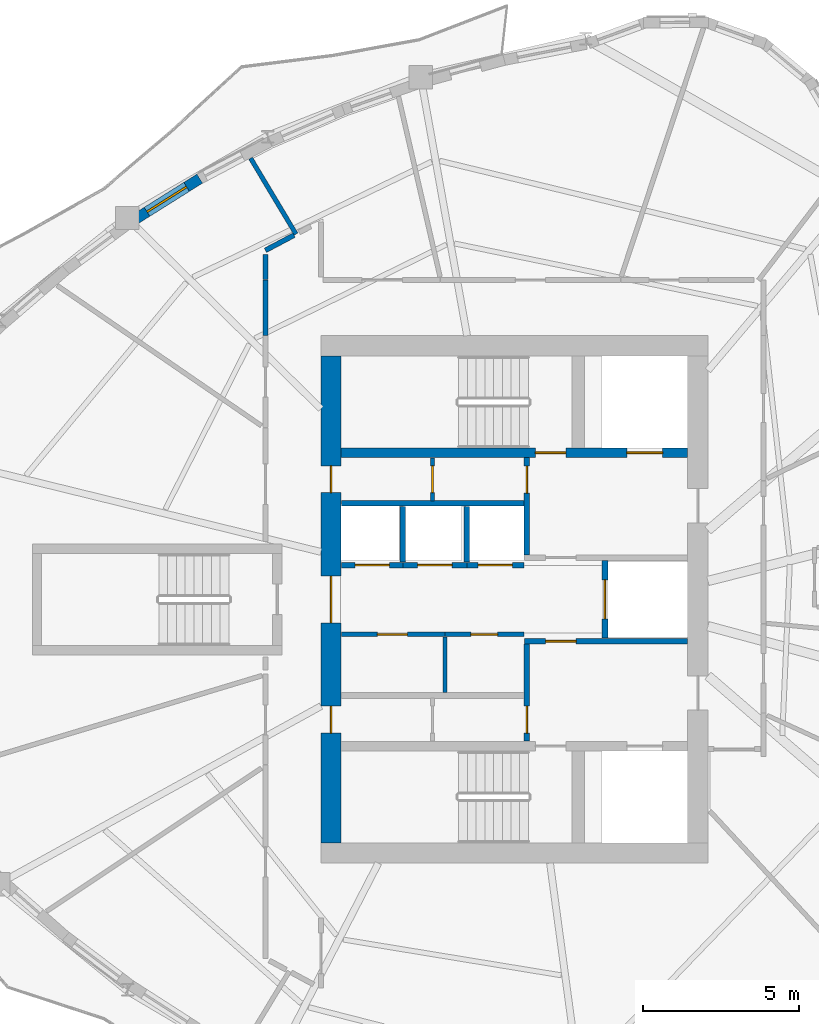
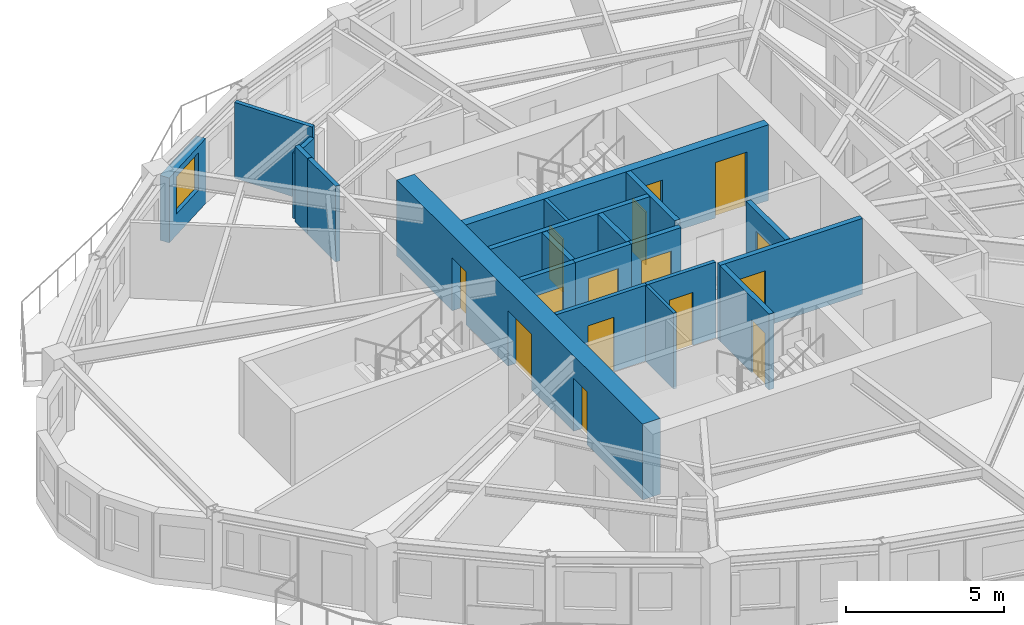
# One storey, part 5 of 12: 21 walls, 15 doors, 1 window, 16 openings.
"""IFC4 building model written with IfcOpenShell, lengths in metres."""

from ifc_helpers import new_model, si_unit, direction, frame, frame_2d, origin, place, context, subcontext, project, spatial, rectangle, extrude, source, transform, mapped, material, layer, layer_set, type_object, element, fill, save


model = new_model("IFC4")

# Units and contexts
model_context = context("Model", 3, precision=1e-05, world=origin(), true_north=direction((0.0, 1.0)))
body_context = subcontext(model_context, "Body", "Model", "MODEL_VIEW")
ifc_project = project(units=[si_unit("LENGTHUNIT", "METRE"), si_unit("AREAUNIT", "SQUARE_METRE"), si_unit("VOLUMEUNIT", "CUBIC_METRE"), si_unit("PLANEANGLEUNIT", "RADIAN"), si_unit("MASSUNIT", "GRAM", prefix="KILO")], contexts=[model_context])

# Site, building, storey
site_placement = place(None, origin())
site = spatial("IfcSite", under=ifc_project, at=site_placement, CompositionType="ELEMENT")
building_placement = place(site_placement, origin())
building = spatial("IfcBuilding", under=site, at=building_placement, Name="Qafzar Sky-Pleat Residences", CompositionType="ELEMENT")
storey_placement = place(building_placement, frame((0.0, 0.0, 149.0)))
storey = spatial("IfcBuildingStorey", under=building, at=storey_placement, Name="L44", CompositionType="ELEMENT", Elevation=149.0)

# Walls
ifc_material_1 = material(Name="Acoustic gypsum plasterboard partition", Category="gypsum")
ifc_layer_1 = layer(ifc_material_1, 0.159912109375)
ifc_layer_set_1 = layer_set([ifc_layer_1], Name="Acoustic gypsum plasterboard partition")
wall_type_1 = type_object("IfcWallType", Name="PART-COR-160", PredefinedType="PARTITIONING", material=ifc_layer_set_1)
wall_1_placement = place(storey_placement, frame((22.3701171875, 34.465087890625, 0.0), z_axis=(0.0, 0.0, 1.0), x_axis=(0.0, 1.0, 0.0)))
element("IfcWall", 1, at=wall_1_placement, inside=storey, type_object=wall_type_1, Name="L44 Partition Wall PART-L44-PW-033", PredefinedType="PARTITIONING", context=body_context, shape_type="SweptSolid", body=[
    extrude(rectangle(XDim=1.764892578125, YDim=0.159912109375, at=frame_2d((0.88232421875, 0.0))), origin(), (0.0, 0.0, 1.0), 2.93505859375),
])
wall_2_placement = place(storey_placement, frame((22.3701171875, 37.18701171875, 0.0), z_axis=(0.0, 0.0, 1.0), x_axis=(0.884244639112, 0.467024001741, 0.0)))
element("IfcWall", 2, at=wall_2_placement, inside=storey, type_object=wall_type_1, Name="L44 Partition Wall PART-L44-PW-037", PredefinedType="PARTITIONING", context=body_context, shape_type="SweptSolid", body=[
    extrude(rectangle(XDim=1.039306640625, YDim=0.159912109375, at=frame_2d((0.51953125, 0.0))), origin(), (0.0, 0.0, 1.0), 2.54296875),
])
wall_3_placement = place(storey_placement, frame((22.3701171875, 36.2451171875, 0.0), z_axis=(0.0, 0.0, 1.0), x_axis=(0.0, 1.0, 0.0)))
element("IfcWall", 3, at=wall_3_placement, inside=storey, type_object=wall_type_1, Name="L44 Partition Wall PART-L44-PW-039", PredefinedType="PARTITIONING", context=body_context, shape_type="SweptSolid", body=[
    extrude(rectangle(XDim=0.80126953125, YDim=0.159912109375, at=frame_2d((0.400634765625, 0.0))), origin(), (0.0, 0.0, 1.0), 2.93505859375),
])

# Wall, opening, door
ifc_material_2 = material(Name="Concrete blockwork partition", Category="masonry")
ifc_layer_2 = layer(ifc_material_2, 0.179931640625)
ifc_layer_set_2 = layer_set([ifc_layer_2], Name="Concrete blockwork partition")
wall_type_2 = type_object("IfcWallType", Name="PART-SHAFT-180", PredefinedType="PARTITIONING", material=ifc_layer_set_2)
wall_4_placement = place(storey_placement, frame((30.75, 21.4599609375, 0.0), z_axis=(0.0, 0.0, 1.0), x_axis=(0.0, 1.0, 0.0)))
wall_4 = element("IfcWall", 4, at=wall_4_placement, inside=storey, type_object=wall_type_2, Name="L44 Partition Wall PART-L44-FFL1-W", PredefinedType="PARTITIONING", context=body_context, shape_type="SweptSolid", body=[
    extrude(rectangle(XDim=3.110107421875, YDim=0.179931640625, at=frame_2d((1.55517578125, 0.0))), origin(), (0.0, 0.0, 1.0), 2.93505859375),
])
opening_1_placement = place(wall_4_placement, frame((0.260009765625, 0.0, 0.0)))
opening_1 = element("IfcOpeningElement", 5, at=opening_1_placement, cuts=wall_4, Name="Opening ID-09", PredefinedType="OPENING", context=body_context, shape_type="SweptSolid", body=[
    extrude(rectangle(XDim=0.860107421875, YDim=2.050048828125, at=frame_2d((0.43017578125, 1.02490234375))), frame((0.0, 0.10009765625, 0.0), z_axis=(0.0, -1.0, 0.0), x_axis=(1.0, 0.0, 0.0)), (0.0, 0.0, 1.0), 0.199951171875),
])
ifc_material_3 = material(Name="Timber-faced fire door", Category="wood")
door_type_1 = type_object("IfcDoorType", Name="DR-SVC-860", OperationType="NOTDEFINED", PredefinedType="DOOR", material=ifc_material_3)
shared_shape_1 = source(origin(), body_context, "Body", "SweptSolid", [
    extrude(rectangle(XDim=0.860107421875, YDim=2.050048828125, at=frame_2d((0.43017578125, 1.02490234375))), frame((0.0, 0.02490234375, 0.0), z_axis=(0.0, -1.0, 0.0), x_axis=(1.0, 0.0, 0.0)), (0.0, 0.0, 1.0), 0.050048828125),
])
door_1_placement = place(opening_1_placement, origin())
door_1 = element("IfcDoor", 6, at=door_1_placement, inside=storey, type_object=door_type_1, Name="L44 South Core Cupboard Door", OperationType="SINGLE_SWING_LEFT", OverallHeight=2.050048828125, OverallWidth=0.860107421875, PredefinedType="DOOR", context=body_context, shape_type="MappedRepresentation", body=[
    mapped(shared_shape_1, transform((0.0, 0.0, 0.0), x_axis=(1.0, 0.0, 0.0), y_axis=(0.0, 1.0, 0.0), z_axis=(0.0, 0.0, 1.0), scale=1.0)),
])
fill(opening_1, door_1)

wall_5_placement = place(storey_placement, frame((30.669921875, 24.659912109375, 0.0), z_axis=(0.0, 0.0, 1.0), x_axis=(1.0, 0.0, 0.0)))
wall_5 = element("IfcWall", 7, at=wall_5_placement, inside=storey, type_object=wall_type_2, Name="L44 Partition Wall PART-L44-FFL1-N", PredefinedType="PARTITIONING", context=body_context, shape_type="SweptSolid", body=[
    extrude(rectangle(XDim=5.219970703125, YDim=0.179931640625, at=frame_2d((2.60986328125, 0.0))), origin(), (0.0, 0.0, 1.0), 2.93505859375),
])
opening_2_placement = place(wall_5_placement, frame((0.679931640625, 0.0, 0.0)))
opening_2 = element("IfcOpeningElement", 8, at=opening_2_placement, cuts=wall_5, Name="Opening ID-01", PredefinedType="OPENING", context=body_context, shape_type="SweptSolid", body=[
    extrude(rectangle(XDim=0.97998046875, YDim=2.14990234375, at=frame_2d((0.489990234375, 1.074951171875))), frame((0.0, 0.10009765625, 0.0), z_axis=(0.0, -1.0, 0.0), x_axis=(1.0, 0.0, 0.0)), (0.0, 0.0, 1.0), 0.199951171875),
])
door_type_2 = type_object("IfcDoorType", Name="DR-STAIR-980", OperationType="NOTDEFINED", PredefinedType="DOOR", material=ifc_material_3)
shared_shape_2 = source(origin(), body_context, "Body", "SweptSolid", [
    extrude(rectangle(XDim=0.97998046875, YDim=2.14990234375, at=frame_2d((0.489990234375, 1.074951171875))), frame((0.0, 0.02490234375, 0.0), z_axis=(0.0, -1.0, 0.0), x_axis=(1.0, 0.0, 0.0)), (0.0, 0.0, 1.0), 0.050048828125),
])
door_2_placement = place(opening_2_placement, origin())
door_2 = element("IfcDoor", 9, at=door_2_placement, inside=storey, type_object=door_type_2, Name="L44 Lift Lobby to South Firefighting Lobby Door", OperationType="SINGLE_SWING_RIGHT", OverallHeight=2.14990234375, OverallWidth=0.97998046875, PredefinedType="DOOR", context=body_context, shape_type="MappedRepresentation", body=[
    mapped(shared_shape_2, transform((0.0, 0.0, 0.0), x_axis=(1.0, 0.0, 0.0), y_axis=(0.0, 1.0, 0.0), z_axis=(0.0, 0.0, 1.0), scale=1.0)),
])
fill(opening_2, door_2)

wall_6_placement = place(storey_placement, frame((30.75, 27.429931640625, 0.0), z_axis=(0.0, 0.0, 1.0), x_axis=(0.0, 1.0, 0.0)))
wall_6 = element("IfcWall", 10, at=wall_6_placement, inside=storey, type_object=wall_type_2, Name="L44 Partition Wall PART-L44-FFL2-W", PredefinedType="PARTITIONING", context=body_context, shape_type="SweptSolid", body=[
    extrude(rectangle(XDim=3.110107421875, YDim=0.179931640625, at=frame_2d((1.55517578125, 0.0))), origin(), (0.0, 0.0, 1.0), 2.93505859375),
])
opening_3_placement = place(wall_6_placement, frame((1.97998046875, 0.0, 0.0)))
opening_3 = element("IfcOpeningElement", 11, at=opening_3_placement, cuts=wall_6, Name="Opening ID-09", PredefinedType="OPENING", context=body_context, shape_type="SweptSolid", body=[
    extrude(rectangle(XDim=0.860107421875, YDim=2.050048828125, at=frame_2d((0.43017578125, 1.02490234375))), frame((0.0, 0.10009765625, 0.0), z_axis=(0.0, -1.0, 0.0), x_axis=(1.0, 0.0, 0.0)), (0.0, 0.0, 1.0), 0.199951171875),
])
door_3_placement = place(opening_3_placement, origin())
door_3 = element("IfcDoor", 12, at=door_3_placement, inside=storey, type_object=door_type_1, Name="L44 North Core Cupboard Door", OperationType="SINGLE_SWING_LEFT", OverallHeight=2.050048828125, OverallWidth=0.860107421875, PredefinedType="DOOR", context=body_context, shape_type="MappedRepresentation", body=[
    mapped(shared_shape_1, transform((0.0, 0.0, 0.0), x_axis=(1.0, 0.0, 0.0), y_axis=(0.0, 1.0, 0.0), z_axis=(0.0, 0.0, 1.0), scale=1.0)),
])
fill(opening_3, door_3)

wall_7_placement = place(storey_placement, frame((33.25, 24.760009765625, 0.0), z_axis=(0.0, 0.0, 1.0), x_axis=(0.0, 1.0, 0.0)))
wall_7 = element("IfcWall", 13, at=wall_7_placement, inside=storey, type_object=wall_type_2, Name="L44 Partition Wall PART-L44-SV1-W", PredefinedType="PARTITIONING", context=body_context, shape_type="SweptSolid", body=[
    extrude(rectangle(XDim=2.47998046875, YDim=0.179931640625, at=frame_2d((1.239990234375, 0.0))), origin(), (0.0, 0.0, 1.0), 2.93505859375),
])
opening_4_placement = place(wall_7_placement, frame((0.614990234375, 0.0, 0.0)))
opening_4 = element("IfcOpeningElement", 14, at=opening_4_placement, cuts=wall_7, Name="Opening LD-03", PredefinedType="OPENING", context=body_context, shape_type="SweptSolid", body=[
    extrude(rectangle(XDim=1.25, YDim=2.14990234375, at=frame_2d((0.625, 1.074951171875))), frame((0.0, 0.10009765625, 0.0), z_axis=(0.0, -1.0, 0.0), x_axis=(1.0, 0.0, 0.0)), (0.0, 0.0, 1.0), 0.199951171875),
])
ifc_material_4 = material(Name="Stainless steel sliding landing door", Category="steel")
door_type_3 = type_object("IfcDoorType", Name="DR-LIFT-SV", OperationType="DOUBLE_DOOR_SLIDING", PredefinedType="DOOR", material=ifc_material_4)
shared_shape_3 = source(origin(), body_context, "Body", "SweptSolid", [
    extrude(rectangle(XDim=1.25, YDim=2.14990234375, at=frame_2d((0.625, 1.074951171875))), frame((0.0, 0.02490234375, 0.0), z_axis=(0.0, -1.0, 0.0), x_axis=(1.0, 0.0, 0.0)), (0.0, 0.0, 1.0), 0.050048828125),
])
door_4_placement = place(opening_4_placement, origin())
door_4 = element("IfcDoor", 15, at=door_4_placement, inside=storey, type_object=door_type_3, Name="L44 Service Lift SV1 Landing Door", OperationType="DOUBLE_DOOR_SLIDING", OverallHeight=2.14990234375, OverallWidth=1.25, PredefinedType="DOOR", context=body_context, shape_type="MappedRepresentation", body=[
    mapped(shared_shape_3, transform((0.0, 0.0, 0.0), x_axis=(1.0, 0.0, 0.0), y_axis=(0.0, 1.0, 0.0), z_axis=(0.0, 0.0, 1.0), scale=1.0)),
])
fill(opening_4, door_4)

# Wall
wall_8_placement = place(storey_placement, frame((24.81005859375, 29.080078125, 0.0), z_axis=(0.0, 0.0, 1.0), x_axis=(1.0, 0.0, 0.0)))
element("IfcWall", 16, at=wall_8_placement, inside=storey, type_object=wall_type_2, Name="L44 Partition Wall PART-L44-P46-N", PredefinedType="PARTITIONING", context=body_context, shape_type="SweptSolid", body=[
    extrude(rectangle(XDim=5.83984375, YDim=0.179931640625, at=frame_2d((2.919921875, 0.0))), origin(), (0.0, 0.0, 1.0), 2.93505859375),
])

# Wall, opening, door
wall_9_placement = place(storey_placement, frame((24.81005859375, 27.10009765625, 0.0), z_axis=(0.0, 0.0, 1.0), x_axis=(1.0, 0.0, 0.0)))
wall_9 = element("IfcWall", 17, at=wall_9_placement, inside=storey, type_object=wall_type_2, Name="L44 Partition Wall PART-L44-P4-S", PredefinedType="PARTITIONING", context=body_context, shape_type="SweptSolid", body=[
    extrude(rectangle(XDim=1.96484375, YDim=0.179931640625, at=frame_2d((0.982421875, 0.0))), origin(), (0.0, 0.0, 1.0), 2.93505859375),
])
opening_5_placement = place(wall_9_placement, frame((0.4326171875, 0.0, 0.0)))
opening_5 = element("IfcOpeningElement", 18, at=opening_5_placement, cuts=wall_9, Name="Opening LD-01", PredefinedType="OPENING", context=body_context, shape_type="SweptSolid", body=[
    extrude(rectangle(XDim=1.10009765625, YDim=2.14990234375, at=frame_2d((0.550048828125, 1.074951171875))), frame((0.0, 0.10009765625, 0.0), z_axis=(0.0, -1.0, 0.0), x_axis=(1.0, 0.0, 0.0)), (0.0, 0.0, 1.0), 0.199951171875),
])
door_type_4 = type_object("IfcDoorType", Name="DR-LIFT-P", OperationType="DOUBLE_DOOR_SLIDING", PredefinedType="DOOR", material=ifc_material_4)
shared_shape_4 = source(origin(), body_context, "Body", "SweptSolid", [
    extrude(rectangle(XDim=1.10009765625, YDim=2.14990234375, at=frame_2d((0.550048828125, 1.074951171875))), frame((0.0, 0.02490234375, 0.0), z_axis=(0.0, -1.0, 0.0), x_axis=(1.0, 0.0, 0.0)), (0.0, 0.0, 1.0), 0.050048828125),
])
door_5_placement = place(opening_5_placement, origin())
door_5 = element("IfcDoor", 19, at=door_5_placement, inside=storey, type_object=door_type_4, Name="L44 Passenger Lift P4 Landing Door", OperationType="DOUBLE_DOOR_SLIDING", OverallHeight=2.14990234375, OverallWidth=1.10009765625, PredefinedType="DOOR", context=body_context, shape_type="MappedRepresentation", body=[
    mapped(shared_shape_4, transform((0.0, 0.0, 0.0), x_axis=(1.0, 0.0, 0.0), y_axis=(0.0, 1.0, 0.0), z_axis=(0.0, 0.0, 1.0), scale=1.0)),
])
fill(opening_5, door_5)

wall_10_placement = place(storey_placement, frame((26.77490234375, 27.10009765625, 0.0), z_axis=(0.0, 0.0, 1.0), x_axis=(1.0, 0.0, 0.0)))
wall_10 = element("IfcWall", 20, at=wall_10_placement, inside=storey, type_object=wall_type_2, Name="L44 Partition Wall PART-L44-P5-S", PredefinedType="PARTITIONING", context=body_context, shape_type="SweptSolid", body=[
    extrude(rectangle(XDim=2.050048828125, YDim=0.179931640625, at=frame_2d((1.02490234375, 0.0))), origin(), (0.0, 0.0, 1.0), 2.93505859375),
])
opening_6_placement = place(wall_10_placement, frame((0.47509765625, 0.0, 0.0)))
opening_6 = element("IfcOpeningElement", 21, at=opening_6_placement, cuts=wall_10, Name="Opening LD-01", PredefinedType="OPENING", context=body_context, shape_type="SweptSolid", body=[
    extrude(rectangle(XDim=1.10009765625, YDim=2.14990234375, at=frame_2d((0.550048828125, 1.074951171875))), frame((0.0, 0.10009765625, 0.0), z_axis=(0.0, -1.0, 0.0), x_axis=(1.0, 0.0, 0.0)), (0.0, 0.0, 1.0), 0.199951171875),
])
door_6_placement = place(opening_6_placement, origin())
door_6 = element("IfcDoor", 22, at=door_6_placement, inside=storey, type_object=door_type_4, Name="L44 Passenger Lift P5 Landing Door", OperationType="DOUBLE_DOOR_SLIDING", OverallHeight=2.14990234375, OverallWidth=1.10009765625, PredefinedType="DOOR", context=body_context, shape_type="MappedRepresentation", body=[
    mapped(shared_shape_4, transform((0.0, 0.0, 0.0), x_axis=(1.0, 0.0, 0.0), y_axis=(0.0, 1.0, 0.0), z_axis=(0.0, 0.0, 1.0), scale=1.0)),
])
fill(opening_6, door_6)

# Wall
wall_11_placement = place(storey_placement, frame((26.77490234375, 27.199951171875, 0.0), z_axis=(0.0, 0.0, 1.0), x_axis=(0.0, 1.0, 0.0)))
element("IfcWall", 23, at=wall_11_placement, inside=storey, type_object=wall_type_2, Name="L44 Partition Wall PART-L44-P46-DIV-1", PredefinedType="PARTITIONING", context=body_context, shape_type="SweptSolid", body=[
    extrude(rectangle(XDim=1.780029296875, YDim=0.179931640625, at=frame_2d((0.89013671875, 0.0))), origin(), (0.0, 0.0, 1.0), 2.93505859375),
])

# Wall, opening, door
wall_12_placement = place(storey_placement, frame((28.824951171875, 27.10009765625, 0.0), z_axis=(0.0, 0.0, 1.0), x_axis=(1.0, 0.0, 0.0)))
wall_12 = element("IfcWall", 24, at=wall_12_placement, inside=storey, type_object=wall_type_2, Name="L44 Partition Wall PART-L44-P6-S", PredefinedType="PARTITIONING", context=body_context, shape_type="SweptSolid", body=[
    extrude(rectangle(XDim=1.824951171875, YDim=0.179931640625, at=frame_2d((0.91259765625, 0.0))), origin(), (0.0, 0.0, 1.0), 2.93505859375),
])
opening_7_placement = place(wall_12_placement, frame((0.362548828125, 0.0, 0.0)))
opening_7 = element("IfcOpeningElement", 25, at=opening_7_placement, cuts=wall_12, Name="Opening LD-01", PredefinedType="OPENING", context=body_context, shape_type="SweptSolid", body=[
    extrude(rectangle(XDim=1.10009765625, YDim=2.14990234375, at=frame_2d((0.550048828125, 1.074951171875))), frame((0.0, 0.10009765625, 0.0), z_axis=(0.0, -1.0, 0.0), x_axis=(1.0, 0.0, 0.0)), (0.0, 0.0, 1.0), 0.199951171875),
])
door_7_placement = place(opening_7_placement, origin())
door_7 = element("IfcDoor", 26, at=door_7_placement, inside=storey, type_object=door_type_4, Name="L44 Passenger Lift P6 Landing Door", OperationType="DOUBLE_DOOR_SLIDING", OverallHeight=2.14990234375, OverallWidth=1.10009765625, PredefinedType="DOOR", context=body_context, shape_type="MappedRepresentation", body=[
    mapped(shared_shape_4, transform((0.0, 0.0, 0.0), x_axis=(1.0, 0.0, 0.0), y_axis=(0.0, 1.0, 0.0), z_axis=(0.0, 0.0, 1.0), scale=1.0)),
])
fill(opening_7, door_7)

# Walls
wall_13_placement = place(storey_placement, frame((28.824951171875, 27.199951171875, 0.0), z_axis=(0.0, 0.0, 1.0), x_axis=(0.0, 1.0, 0.0)))
element("IfcWall", 27, at=wall_13_placement, inside=storey, type_object=wall_type_2, Name="L44 Partition Wall PART-L44-P46-DIV-2", PredefinedType="PARTITIONING", context=body_context, shape_type="SweptSolid", body=[
    extrude(rectangle(XDim=1.780029296875, YDim=0.179931640625, at=frame_2d((0.89013671875, 0.0))), origin(), (0.0, 0.0, 1.0), 2.93505859375),
])
ifc_material_5 = material(Name="Gypsum plasterboard partition", Category="gypsum")
ifc_layer_3 = layer(ifc_material_5, 0.114990234375)
ifc_layer_set_3 = layer_set([ifc_layer_3], Name="Gypsum plasterboard partition")
wall_type_3 = type_object("IfcWallType", Name="PART-SVC-115", PredefinedType="PARTITIONING", material=ifc_layer_set_3)
wall_14_placement = place(storey_placement, frame((28.125, 23.02001953125, 0.0), z_axis=(0.0, 0.0, 1.0), x_axis=(0.0, 1.0, 0.0)))
element("IfcWall", 28, at=wall_14_placement, inside=storey, type_object=wall_type_3, Name="L44 Partition Wall PART-L44-RECLAIM-DIV", PredefinedType="PARTITIONING", context=body_context, shape_type="SweptSolid", body=[
    extrude(rectangle(XDim=1.77001953125, YDim=0.114990234375, at=frame_2d((0.885009765625, 0.0))), origin(), (0.0, 0.0, 1.0), 2.93505859375),
])

# Wall, opening, door
wall_15_placement = place(storey_placement, frame((27.72509765625, 29.159912109375, 0.0), z_axis=(0.0, 0.0, 1.0), x_axis=(0.0, 1.0, 0.0)))
wall_15 = element("IfcWall", 29, at=wall_15_placement, inside=storey, type_object=wall_type_3, Name="L44 Partition Wall PART-L44-KB-NW", PredefinedType="PARTITIONING", context=body_context, shape_type="SweptSolid", body=[
    extrude(rectangle(XDim=1.380126953125, YDim=0.114990234375, at=frame_2d((0.68994140625, 0.0))), origin(), (0.0, 0.0, 1.0), 2.93505859375),
])
opening_8_placement = place(wall_15_placement, frame((0.260009765625, 0.0, 0.0)))
opening_8 = element("IfcOpeningElement", 30, at=opening_8_placement, cuts=wall_15, Name="Opening ID-09", PredefinedType="OPENING", context=body_context, shape_type="SweptSolid", body=[
    extrude(rectangle(XDim=0.860107421875, YDim=2.050048828125, at=frame_2d((0.43017578125, 1.02490234375))), frame((0.0, 0.0673828125, 0.0), z_axis=(0.0, -1.0, 0.0), x_axis=(1.0, 0.0, 0.0)), (0.0, 0.0, 1.0), 0.135009765625),
])
door_8_placement = place(opening_8_placement, origin())
door_8 = element("IfcDoor", 31, at=door_8_placement, inside=storey, type_object=door_type_1, Name="L44 IT Cupboard Door", OperationType="SINGLE_SWING_RIGHT", OverallHeight=2.050048828125, OverallWidth=0.860107421875, PredefinedType="DOOR", context=body_context, shape_type="MappedRepresentation", body=[
    mapped(shared_shape_1, transform((0.0, 0.0, 0.0), x_axis=(1.0, 0.0, 0.0), y_axis=(0.0, 1.0, 0.0), z_axis=(0.0, 0.0, 1.0), scale=1.0)),
])
fill(opening_8, door_8)

ifc_layer_4 = layer(ifc_material_1, 0.14501953125)
ifc_layer_set_4 = layer_set([ifc_layer_4], Name="Acoustic gypsum plasterboard partition")
wall_type_4 = type_object("IfcWallType", Name="PART-UNIT-145", PredefinedType="PARTITIONING", material=ifc_layer_set_4)
wall_16_placement = place(storey_placement, frame((24.81005859375, 24.8798828125, 0.0), z_axis=(0.0, 0.0, 1.0), x_axis=(1.0, 0.0, 0.0)))
wall_16 = element("IfcWall", 32, at=wall_16_placement, inside=storey, type_object=wall_type_4, Name="L44 Partition Wall PART-L44-RECLAIM-N1", PredefinedType="PARTITIONING", context=body_context, shape_type="SweptSolid", body=[
    extrude(rectangle(XDim=3.31005859375, YDim=0.14501953125, at=frame_2d((1.655029296875, 0.0))), origin(), (0.0, 0.0, 1.0), 2.93505859375),
])
opening_9_placement = place(wall_16_placement, frame((1.14990234375, 0.0, 0.0)))
opening_9 = element("IfcOpeningElement", 33, at=opening_9_placement, cuts=wall_16, Name="Opening ID-06", PredefinedType="OPENING", context=body_context, shape_type="SweptSolid", body=[
    extrude(rectangle(XDim=0.9599609375, YDim=2.10009765625, at=frame_2d((0.47998046875, 1.050048828125))), frame((0.0, 0.08251953125, 0.0), z_axis=(0.0, -1.0, 0.0), x_axis=(1.0, 0.0, 0.0)), (0.0, 0.0, 1.0), 0.1650390625),
])
door_type_5 = type_object("IfcDoorType", Name="DR-STD-960", OperationType="NOTDEFINED", PredefinedType="DOOR", material=ifc_material_3)
shared_shape_5 = source(origin(), body_context, "Body", "SweptSolid", [
    extrude(rectangle(XDim=0.9599609375, YDim=2.10009765625, at=frame_2d((0.47998046875, 1.050048828125))), frame((0.0, 0.02490234375, 0.0), z_axis=(0.0, -1.0, 0.0), x_axis=(1.0, 0.0, 0.0)), (0.0, 0.0, 1.0), 0.050048828125),
])
door_9_placement = place(opening_9_placement, origin())
door_9 = element("IfcDoor", 34, at=door_9_placement, inside=storey, type_object=door_type_5, Name="L44 Reclaimed Quiet Study Room Door", OperationType="SINGLE_SWING_LEFT", OverallHeight=2.10009765625, OverallWidth=0.9599609375, PredefinedType="DOOR", context=body_context, shape_type="MappedRepresentation", body=[
    mapped(shared_shape_5, transform((0.0, 0.0, 0.0), x_axis=(1.0, 0.0, 0.0), y_axis=(0.0, 1.0, 0.0), z_axis=(0.0, 0.0, 1.0), scale=1.0)),
])
fill(opening_9, door_9)

wall_17_placement = place(storey_placement, frame((28.1298828125, 24.8798828125, 0.0), z_axis=(0.0, 0.0, 1.0), x_axis=(1.0, 0.0, 0.0)))
wall_17 = element("IfcWall", 35, at=wall_17_placement, inside=storey, type_object=wall_type_4, Name="L44 Partition Wall PART-L44-RECLAIM-N2", PredefinedType="PARTITIONING", context=body_context, shape_type="SweptSolid", body=[
    extrude(rectangle(XDim=2.52001953125, YDim=0.14501953125, at=frame_2d((1.260009765625, 0.0))), origin(), (0.0, 0.0, 1.0), 2.93505859375),
])
opening_10_placement = place(wall_17_placement, frame((0.820068359375, 0.0, 0.0)))
opening_10 = element("IfcOpeningElement", 36, at=opening_10_placement, cuts=wall_17, Name="Opening ID-09", PredefinedType="OPENING", context=body_context, shape_type="SweptSolid", body=[
    extrude(rectangle(XDim=0.860107421875, YDim=2.050048828125, at=frame_2d((0.43017578125, 1.02490234375))), frame((0.0, 0.08251953125, 0.0), z_axis=(0.0, -1.0, 0.0), x_axis=(1.0, 0.0, 0.0)), (0.0, 0.0, 1.0), 0.1650390625),
])
door_10_placement = place(opening_10_placement, origin())
door_10 = element("IfcDoor", 37, at=door_10_placement, inside=storey, type_object=door_type_1, Name="L44 Reclaimed Linen Cupboard Door", OperationType="SINGLE_SWING_RIGHT", OverallHeight=2.050048828125, OverallWidth=0.860107421875, PredefinedType="DOOR", context=body_context, shape_type="MappedRepresentation", body=[
    mapped(shared_shape_1, transform((0.0, 0.0, 0.0), x_axis=(1.0, 0.0, 0.0), y_axis=(0.0, 1.0, 0.0), z_axis=(0.0, 0.0, 1.0), scale=1.0)),
])
fill(opening_10, door_10)

# Wall
wall_18_placement = place(storey_placement, frame((21.897216796875, 40.13525390625, 0.0), z_axis=(0.0, 0.0, 1.0), x_axis=(0.513392323606, -0.858154020012, 0.0)))
element("IfcWall", 38, at=wall_18_placement, inside=storey, type_object=wall_type_4, Name="L44 Partition Wall PART-L44-PW-025", PredefinedType="PARTITIONING", context=body_context, shape_type="SweptSolid", body=[
    extrude(rectangle(XDim=2.831787109375, YDim=0.14501953125, at=frame_2d((1.416015625, 0.0))), origin(), (0.0, 0.0, 1.0), 2.93505859375),
])

# Wall, opening, window
ifc_material_6 = material(Name="Precast concrete C40/50 with honed Riyadh limestone", Category="concrete")
ifc_layer_5 = layer(ifc_material_6, 0.340087890625)
ifc_layer_set_5 = layer_set([ifc_layer_5], Name="Precast concrete C40/50 with honed Riyadh limestone")
wall_type_5 = type_object("IfcWallType", Name="WALL-EXT-340", PredefinedType="SOLIDWALL", material=ifc_layer_set_5)
wall_19_placement = place(storey_placement, frame((20.266357421875, 39.48388671875, 0.0), z_axis=(0.0, 0.0, 1.0), x_axis=(-0.84647717658, -0.532425008363, 0.0)))
wall_19 = element("IfcWall", 39, at=wall_19_placement, inside=storey, type_object=wall_type_5, Name="L44 Limestone Facade Wall 44", PredefinedType="SOLIDWALL", context=body_context, shape_type="SweptSolid", body=[
    extrude(rectangle(XDim=2.4853515625, YDim=0.340087890625, at=frame_2d((1.24267578125, 0.0))), origin(), (0.0, 0.0, 1.0), 2.514892578125),
])
opening_11_placement = place(wall_19_placement, frame((0.49755859375, 0.0, 0.820068359375)))
opening_11 = element("IfcOpeningElement", 40, at=opening_11_placement, cuts=wall_19, Name="Opening WN-03", PredefinedType="OPENING", context=body_context, shape_type="SweptSolid", body=[
    extrude(rectangle(XDim=1.5, YDim=1.449951171875, at=frame_2d((0.75, 0.72509765625))), frame((0.0, 0.18017578125, 0.0), z_axis=(0.0, -1.0, 0.0), x_axis=(1.0, 0.0, 0.0)), (0.0, 0.0, 1.0), 0.360107421875),
])
ifc_material_7 = material(Name="Solar-control low-E glass in bronze aluminium frame", Category="glass")
window_type = type_object("IfcWindowType", Name="WIN-03", PartitioningType="DOUBLE_PANEL_VERTICAL", PredefinedType="WINDOW", material=ifc_material_7)
shared_shape_6 = source(origin(), body_context, "Body", "SweptSolid", [
    extrude(rectangle(XDim=1.5, YDim=1.449951171875, at=frame_2d((0.75, 0.72509765625))), frame((0.0, 0.030029296875, 0.0), z_axis=(0.0, -1.0, 0.0), x_axis=(1.0, 0.0, 0.0)), (0.0, 0.0, 1.0), 0.06005859375),
])
window_placement = place(opening_11_placement, origin())
window = element("IfcWindow", 41, at=window_placement, inside=storey, type_object=window_type, Name="L44 Punched Facade Window 44", OverallHeight=1.449951171875, OverallWidth=1.5, PartitioningType="SINGLE_PANEL", PredefinedType="WINDOW", context=body_context, shape_type="MappedRepresentation", body=[
    mapped(shared_shape_6, transform((0.0, 0.0, 0.0), x_axis=(1.0, 0.0, 0.0), y_axis=(0.0, 1.0, 0.0), z_axis=(0.0, 0.0, 1.0), scale=1.0)),
])
fill(opening_11, window)

# Wall, openings, doors
ifc_material_8 = material(Name="Concrete C60/75", Category="concrete")
ifc_layer_6 = layer(ifc_material_8, 0.300048828125)
ifc_layer_set_6 = layer_set([ifc_layer_6], Name="Concrete C60/75")
wall_type_6 = type_object("IfcWallType", Name="WALL-SHEAR-300", PredefinedType="SHEAR", material=ifc_layer_set_6)
wall_20_placement = place(storey_placement, frame((24.800048828125, 30.699951171875, 0.0), z_axis=(0.0, 0.0, 1.0), x_axis=(1.0, 0.0, 0.0)))
wall_20 = element("IfcWall", 42, at=wall_20_placement, inside=storey, type_object=wall_type_6, Name="L44 Stair ST2 and FF2 Shaft South Wall", PredefinedType="SHEAR", context=body_context, shape_type="SweptSolid", body=[
    extrude(rectangle(XDim=11.099853515625, YDim=0.300048828125, at=frame_2d((5.5498046875, 0.0))), origin(), (0.0, 0.0, 1.0), 2.93505859375),
])
opening_12_placement = place(wall_20_placement, frame((6.219970703125, 0.0, 0.0)))
opening_12 = element("IfcOpeningElement", 43, at=opening_12_placement, cuts=wall_20, Name="Opening ID-01", PredefinedType="OPENING", context=body_context, shape_type="SweptSolid", body=[
    extrude(rectangle(XDim=0.97998046875, YDim=2.14990234375, at=frame_2d((0.489990234375, 1.074951171875))), frame((0.0, 0.16015625, 0.0), z_axis=(0.0, -1.0, 0.0), x_axis=(1.0, 0.0, 0.0)), (0.0, 0.0, 1.0), 0.320068359375),
])
opening_13_placement = place(wall_20_placement, frame((9.14990234375, 0.0, 0.0)))
opening_13 = element("IfcOpeningElement", 44, at=opening_13_placement, cuts=wall_20, Name="Opening LD-02", PredefinedType="OPENING", context=body_context, shape_type="SweptSolid", body=[
    extrude(rectangle(XDim=1.14990234375, YDim=2.14990234375, at=frame_2d((0.574951171875, 1.074951171875))), frame((0.0, 0.16015625, 0.0), z_axis=(0.0, -1.0, 0.0), x_axis=(1.0, 0.0, 0.0)), (0.0, 0.0, 1.0), 0.320068359375),
])
door_11_placement = place(opening_12_placement, origin())
door_11 = element("IfcDoor", 45, at=door_11_placement, inside=storey, type_object=door_type_2, Name="L44 Stair ST2 Fire Door", OperationType="SINGLE_SWING_LEFT", OverallHeight=2.14990234375, OverallWidth=0.97998046875, PredefinedType="DOOR", context=body_context, shape_type="MappedRepresentation", body=[
    mapped(shared_shape_2, transform((0.0, 0.0, 0.0), x_axis=(1.0, 0.0, 0.0), y_axis=(0.0, 1.0, 0.0), z_axis=(0.0, 0.0, 1.0), scale=1.0)),
])
fill(opening_12, door_11)
door_type_6 = type_object("IfcDoorType", Name="DR-LIFT-FF", OperationType="DOUBLE_DOOR_SLIDING", PredefinedType="DOOR", material=ifc_material_4)
shared_shape_7 = source(origin(), body_context, "Body", "SweptSolid", [
    extrude(rectangle(XDim=1.14990234375, YDim=2.14990234375, at=frame_2d((0.574951171875, 1.074951171875))), frame((0.0, 0.02490234375, 0.0), z_axis=(0.0, -1.0, 0.0), x_axis=(1.0, 0.0, 0.0)), (0.0, 0.0, 1.0), 0.050048828125),
])
door_12_placement = place(opening_13_placement, origin())
door_12 = element("IfcDoor", 46, at=door_12_placement, inside=storey, type_object=door_type_6, Name="L44 Firefighting Lift FF2 Landing Door", OperationType="DOUBLE_DOOR_SLIDING", OverallHeight=2.14990234375, OverallWidth=1.14990234375, PredefinedType="DOOR", context=body_context, shape_type="MappedRepresentation", body=[
    mapped(shared_shape_7, transform((0.0, 0.0, 0.0), x_axis=(1.0, 0.0, 0.0), y_axis=(0.0, 1.0, 0.0), z_axis=(0.0, 0.0, 1.0), scale=1.0)),
])
fill(opening_13, door_12)

ifc_layer_7 = layer(ifc_material_8, 0.64990234375)
ifc_layer_set_7 = layer_set([ifc_layer_7], Name="Concrete C60/75")
wall_type_7 = type_object("IfcWallType", Name="WALL-SHEAR-650", PredefinedType="SHEAR", material=ifc_layer_set_7)
wall_21_placement = place(storey_placement, frame((24.47509765625, 33.800048828125, 0.0), z_axis=(0.0, 0.0, 1.0), x_axis=(0.0, -1.0, 0.0)))
wall_21 = element("IfcWall", 47, at=wall_21_placement, inside=storey, type_object=wall_type_7, Name="L44 CORE wall W", PredefinedType="SHEAR", context=body_context, shape_type="SweptSolid", body=[
    extrude(rectangle(XDim=15.60009765625, YDim=0.64990234375, at=frame_2d((7.800048828125, 0.0))), origin(), (0.0, 0.0, 1.0), 2.93505859375),
])
opening_14_placement = place(wall_21_placement, frame((7.050048828125, 0.0, 0.0)))
opening_14 = element("IfcOpeningElement", 48, at=opening_14_placement, cuts=wall_21, Name="Opening ID-03", PredefinedType="OPENING", context=body_context, shape_type="SweptSolid", body=[
    extrude(rectangle(XDim=1.5, YDim=2.14990234375, at=frame_2d((0.75, 1.074951171875))), frame((0.0, 0.3349609375, 0.0), z_axis=(0.0, -1.0, 0.0), x_axis=(1.0, 0.0, 0.0)), (0.0, 0.0, 1.0), 0.669921875),
])
opening_15_placement = place(wall_21_placement, frame((3.52001953125, 0.0, 0.0)))
opening_15 = element("IfcOpeningElement", 49, at=opening_15_placement, cuts=wall_21, Name="Opening ID-09", PredefinedType="OPENING", context=body_context, shape_type="SweptSolid", body=[
    extrude(rectangle(XDim=0.860107421875, YDim=2.050048828125, at=frame_2d((0.43017578125, 1.02490234375))), frame((0.0, 0.3349609375, 0.0), z_axis=(0.0, -1.0, 0.0), x_axis=(1.0, 0.0, 0.0)), (0.0, 0.0, 1.0), 0.669921875),
])
opening_16_placement = place(wall_21_placement, frame((11.219970703125, 0.0, 0.0)))
opening_16 = element("IfcOpeningElement", 50, at=opening_16_placement, cuts=wall_21, Name="Opening ID-09", PredefinedType="OPENING", context=body_context, shape_type="SweptSolid", body=[
    extrude(rectangle(XDim=0.860107421875, YDim=2.050048828125, at=frame_2d((0.43017578125, 1.02490234375))), frame((0.0, 0.3349609375, 0.0), z_axis=(0.0, -1.0, 0.0), x_axis=(1.0, 0.0, 0.0)), (0.0, 0.0, 1.0), 0.669921875),
])
door_type_7 = type_object("IfcDoorType", Name="DR-COR-1500", OperationType="DOUBLE_DOOR_SINGLE_SWING", PredefinedType="DOOR", material=ifc_material_3)
shared_shape_8 = source(origin(), body_context, "Body", "SweptSolid", [
    extrude(rectangle(XDim=1.5, YDim=2.14990234375, at=frame_2d((0.75, 1.074951171875))), frame((0.0, 0.02490234375, 0.0), z_axis=(0.0, -1.0, 0.0), x_axis=(1.0, 0.0, 0.0)), (0.0, 0.0, 1.0), 0.050048828125),
])
door_13_placement = place(opening_14_placement, origin())
door_13 = element("IfcDoor", 51, at=door_13_placement, inside=storey, type_object=door_type_7, Name="L44 Lift Lobby West Double Door", OperationType="DOUBLE_DOOR_SINGLE_SWING", OverallHeight=2.14990234375, OverallWidth=1.5, PredefinedType="DOOR", context=body_context, shape_type="MappedRepresentation", body=[
    mapped(shared_shape_8, transform((0.0, 0.0, 0.0), x_axis=(1.0, 0.0, 0.0), y_axis=(0.0, 1.0, 0.0), z_axis=(0.0, 0.0, 1.0), scale=1.0)),
])
fill(opening_14, door_13)
door_14_placement = place(opening_15_placement, origin())
door_14 = element("IfcDoor", 52, at=door_14_placement, inside=storey, type_object=door_type_1, Name="L44 Core North-West Service Door", OperationType="SINGLE_SWING_LEFT", OverallHeight=2.050048828125, OverallWidth=0.860107421875, PredefinedType="DOOR", context=body_context, shape_type="MappedRepresentation", body=[
    mapped(shared_shape_1, transform((0.0, 0.0, 0.0), x_axis=(1.0, 0.0, 0.0), y_axis=(0.0, 1.0, 0.0), z_axis=(0.0, 0.0, 1.0), scale=1.0)),
])
fill(opening_15, door_14)
door_15_placement = place(opening_16_placement, origin())
door_15 = element("IfcDoor", 53, at=door_15_placement, inside=storey, type_object=door_type_1, Name="L44 Core South-West Service Door", OperationType="SINGLE_SWING_RIGHT", OverallHeight=2.050048828125, OverallWidth=0.860107421875, PredefinedType="DOOR", context=body_context, shape_type="MappedRepresentation", body=[
    mapped(shared_shape_1, transform((0.0, 0.0, 0.0), x_axis=(1.0, 0.0, 0.0), y_axis=(0.0, 1.0, 0.0), z_axis=(0.0, 0.0, 1.0), scale=1.0)),
])
fill(opening_16, door_15)

save(model, "model.ifc")
